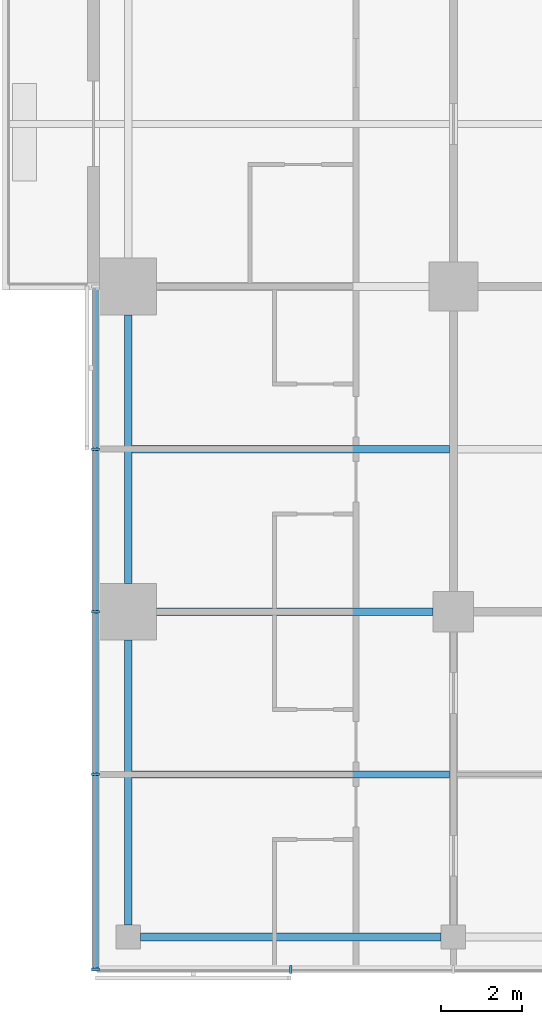
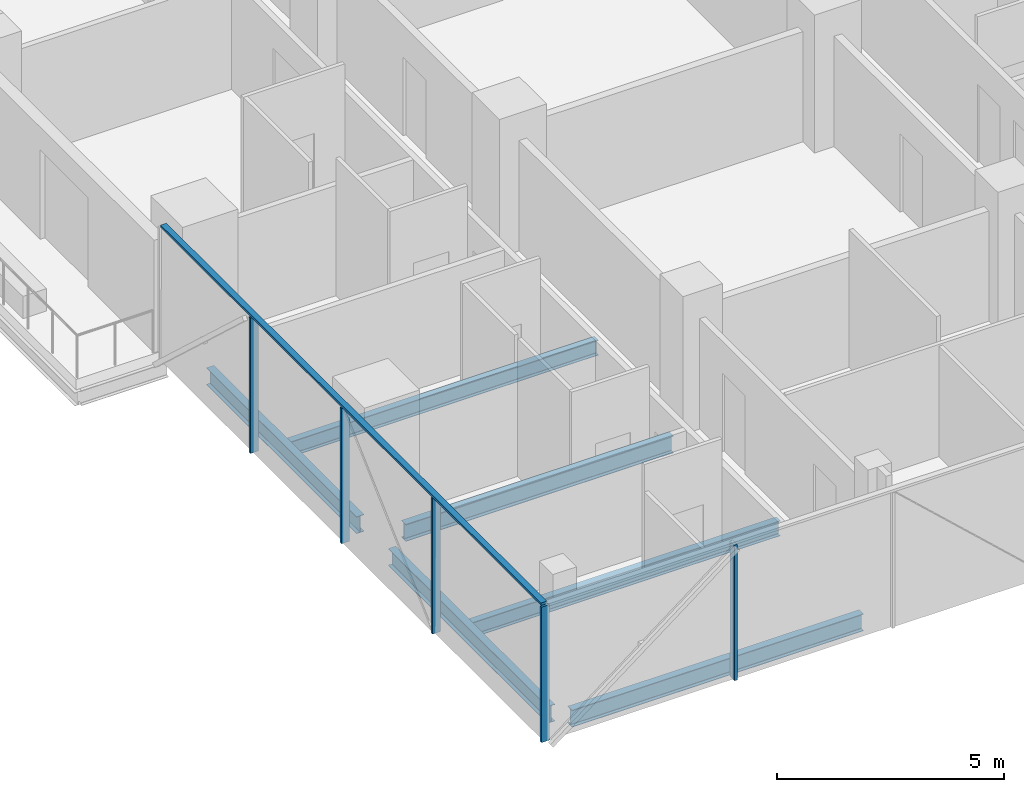
# One storey, part 2 of 29: 6 beams, 6 members, 2 elements without a shape of their own.
"""IFC4 building model written with IfcOpenShell, lengths in metres."""

from ifc_helpers import new_model, si_unit, direction, frame, origin, origin_2d, place, context, subcontext, project, spatial, rectangle, i_section, extrude, material, material_profile, profile_set, type_object, element, aggregate, save


model = new_model("IFC4")

# Units and contexts
model_context = context("Model", 3, precision=1e-05, world=origin(), true_north=direction((0.0, 1.0)))
body_context = subcontext(model_context, "Body", "Model", "MODEL_VIEW")
ifc_project = project(units=[si_unit("LENGTHUNIT", "METRE"), si_unit("AREAUNIT", "SQUARE_METRE"), si_unit("VOLUMEUNIT", "CUBIC_METRE"), si_unit("PLANEANGLEUNIT", "RADIAN"), si_unit("MASSUNIT", "GRAM", prefix="KILO")], contexts=[model_context])

# Site, building, storey
site_placement = place(None, origin())
site = spatial("IfcSite", under=ifc_project, at=site_placement, CompositionType="ELEMENT")
building_placement = place(site_placement, origin())
building = spatial("IfcBuilding", under=site, at=building_placement, Name="Crosswind Convention Tower", CompositionType="ELEMENT")
storey_placement = place(building_placement, frame((0.0, 0.0, 57.199951171875)))
storey = spatial("IfcBuildingStorey", under=building, at=storey_placement, Name="L08", CompositionType="ELEMENT", Elevation=57.199951171875)

# Beams
ifc_material_1 = material(Name="Steel S355", Category="steel")
ifc_material_profile_1 = material_profile(ifc_material_1, i_section(OverallWidth=0.1904296875, OverallDepth=0.457275390625, WebThickness=0.009033203125, FlangeThickness=0.014404296875, FilletRadius=0.01025390625, at=origin_2d()), Name="UB 457x191x75")
ifc_profile_set_1 = profile_set([ifc_material_profile_1], Name="Steel S355")
beam_type_1 = type_object("IfcBeamType", Name="Edge beam UB 457x191x75", PredefinedType="SPANDREL", material=ifc_profile_set_1)
beam_1_placement = place(storey_placement, frame((113.0, 64.300048828125, -0.508544921875), z_axis=(0.0, 1.0, 0.0), x_axis=(-1.0, 0.0, 0.0)))
element("IfcBeam", 1, at=beam_1_placement, inside=storey, type_object=beam_type_1, Name="B17 L08 edge beam 6", PredefinedType="SPANDREL", context=body_context, shape_type="SweptSolid", body=[
    extrude(i_section(OverallWidth=0.1904296875, OverallDepth=0.457275390625, WebThickness=0.009033203125, FlangeThickness=0.014404296875, FilletRadius=0.01025390625, at=origin_2d()), origin(), (0.0, 0.0, 1.0), 7.0),
])
beam_2_placement = place(storey_placement, frame((113.0, 72.699951171875, -0.508544921875), z_axis=(0.0, 1.0, 0.0), x_axis=(-1.0, 0.0, 0.0)))
element("IfcBeam", 2, at=beam_2_placement, inside=storey, type_object=beam_type_1, Name="B17 L08 edge beam 7", PredefinedType="SPANDREL", context=body_context, shape_type="SweptSolid", body=[
    extrude(i_section(OverallWidth=0.1904296875, OverallDepth=0.457275390625, WebThickness=0.009033203125, FlangeThickness=0.014404296875, FilletRadius=0.01025390625, at=origin_2d()), origin(), (0.0, 0.0, 1.0), 6.60009765625),
])
beam_3_placement = place(storey_placement, frame((113.300048828125, 64.0, -0.508544921875), z_axis=(1.0, 0.0, 0.0), x_axis=(0.0, 1.0, 0.0)))
element("IfcBeam", 3, at=beam_3_placement, inside=storey, type_object=beam_type_1, Name="B17 L08 edge beam 12", PredefinedType="SPANDREL", context=body_context, shape_type="SweptSolid", body=[
    extrude(i_section(OverallWidth=0.1904296875, OverallDepth=0.457275390625, WebThickness=0.009033203125, FlangeThickness=0.014404296875, FilletRadius=0.01025390625, at=origin_2d()), origin(), (0.0, 0.0, 1.0), 7.39990234375),
])
ifc_material_profile_2 = material_profile(ifc_material_1, i_section(OverallWidth=0.19140625, OverallDepth=0.460205078125, WebThickness=0.010009765625, FlangeThickness=0.01611328125, FilletRadius=0.01025390625, at=origin_2d()), Name="UB 457x191x82")
ifc_profile_set_2 = profile_set([ifc_material_profile_2], Name="Steel S355")
beam_type_2 = type_object("IfcBeamType", Name="Girder UB 457x191x82", PredefinedType="BEAM", material=ifc_profile_set_2)
beam_4_placement = place(storey_placement, frame((113.699951171875, 72.0, -0.510009765625), z_axis=(1.0, 0.0, 0.0), x_axis=(0.0, 1.0, 0.0)))
element("IfcBeam", 4, at=beam_4_placement, inside=storey, type_object=beam_type_2, Name="B3 L08 girder 1", PredefinedType="BEAM", context=body_context, shape_type="SweptSolid", body=[
    extrude(i_section(OverallWidth=0.19140625, OverallDepth=0.460205078125, WebThickness=0.010009765625, FlangeThickness=0.01611328125, FilletRadius=0.01025390625, at=origin_2d()), origin(), (0.0, 0.0, 1.0), 6.800048828125),
])

# Curtain wall, members
ifc_material_2 = material(Name="Aluminium unitised curtain wall", Category="aluminium")
curtain_wall_type = type_object("IfcCurtainWallType", Name="HOTEL UNITISED WALL 200", PredefinedType="USERDEFINED", material=ifc_material_2)
curtain_wall_1_placement = place(storey_placement, origin())
curtain_wall_1 = element("IfcCurtainWall", 5, at=curtain_wall_1_placement, inside=storey, type_object=curtain_wall_type, Name="CW2 L08 S-W 1", ObjectType="UNITISED", PredefinedType="USERDEFINED")
ifc_material_3 = material(Name="Aluminium mullion", Category="aluminium")
ifc_material_profile_3 = material_profile(ifc_material_3, rectangle(XDim=0.199951171875, YDim=0.06494140625, at=origin_2d()), Name="AL 200X65")
ifc_profile_set_3 = profile_set([ifc_material_profile_3], Name="Aluminium mullion")
member_type_1 = type_object("IfcMemberType", Name="MULLION 65X200", PredefinedType="MULLION", material=ifc_profile_set_3)
member_1_placement = place(storey_placement, frame((112.199951171875, 76.0, -0.280029296875), z_axis=(0.0, 0.0, 1.0), x_axis=(-1.0, 0.0, 0.0)))
member_1 = element("IfcMember", 6, at=member_1_placement, type_object=member_type_1, Name="CW2 mullion 2", PredefinedType="MULLION", context=body_context, shape_type="SweptSolid", body=[
    extrude(rectangle(XDim=0.199951171875, YDim=0.06494140625, at=origin_2d()), origin(), (0.0, 0.0, 1.0), 3.635009765625),
])
member_2_placement = place(storey_placement, frame((112.199951171875, 72.0, -0.280029296875), z_axis=(0.0, 0.0, 1.0), x_axis=(-1.0, 0.0, 0.0)))
member_2 = element("IfcMember", 7, at=member_2_placement, type_object=member_type_1, Name="CW2 mullion 3", PredefinedType="MULLION", context=body_context, shape_type="SweptSolid", body=[
    extrude(rectangle(XDim=0.199951171875, YDim=0.06494140625, at=origin_2d()), origin(), (0.0, 0.0, 1.0), 3.635009765625),
])
member_3_placement = place(storey_placement, frame((112.199951171875, 68.0, -0.280029296875), z_axis=(0.0, 0.0, 1.0), x_axis=(-1.0, 0.0, 0.0)))
member_3 = element("IfcMember", 8, at=member_3_placement, type_object=member_type_1, Name="CW2 mullion 4", PredefinedType="MULLION", context=body_context, shape_type="SweptSolid", body=[
    extrude(rectangle(XDim=0.199951171875, YDim=0.06494140625, at=origin_2d()), origin(), (0.0, 0.0, 1.0), 3.635009765625),
])
member_4_placement = place(storey_placement, frame((112.199951171875, 63.199951171875, -0.280029296875), z_axis=(0.0, 0.0, 1.0), x_axis=(-1.0, 0.0, 0.0)))
member_4 = element("IfcMember", 9, at=member_4_placement, type_object=member_type_1, Name="CW2 mullion 5", PredefinedType="MULLION", context=body_context, shape_type="SweptSolid", body=[
    extrude(rectangle(XDim=0.199951171875, YDim=0.06494140625, at=origin_2d()), origin(), (0.0, 0.0, 1.0), 3.635009765625),
])

# Curtain wall, member
curtain_wall_2_placement = place(storey_placement, origin())
curtain_wall_2 = element("IfcCurtainWall", 10, at=curtain_wall_2_placement, inside=storey, type_object=curtain_wall_type, Name="CW2 L08 S-TIP 1", ObjectType="UNITISED", PredefinedType="USERDEFINED")
member_5_placement = place(storey_placement, frame((117.0, 63.199951171875, -0.280029296875), z_axis=(0.0, 0.0, 1.0), x_axis=(0.0, -1.0, 0.0)))
member_5 = element("IfcMember", 11, at=member_5_placement, type_object=member_type_1, Name="CW2 mullion 2", PredefinedType="MULLION", context=body_context, shape_type="SweptSolid", body=[
    extrude(rectangle(XDim=0.199951171875, YDim=0.06494140625, at=origin_2d()), origin(), (0.0, 0.0, 1.0), 3.635009765625),
])
aggregate(curtain_wall_2, [member_5])

# Beams
ifc_material_profile_4 = material_profile(ifc_material_1, i_section(OverallWidth=0.177734375, OverallDepth=0.406494140625, WebThickness=0.0078125, FlangeThickness=0.0126953125, FilletRadius=0.01025390625, at=origin_2d()), Name="UB 406x178x60")
ifc_profile_set_4 = profile_set([ifc_material_profile_4], Name="Steel S355")
beam_type_3 = type_object("IfcBeamType", Name="Secondary beam UB 406x178x60", PredefinedType="JOIST", material=ifc_profile_set_4)
for number, where, z_axis, x_axis, name in (
    (12, (113.09521484375, 68.0, -0.483154296875), (1.0, 0.0, 0.0), (0.0, 1.0, 0.0), "B10 L08 secondary beam 7"),
    (13, (113.09521484375, 76.0, -0.483154296875), (1.0, 0.0, 0.0), (0.0, 1.0, 0.0), "B10 L08 secondary beam 8"),
):
    element("IfcBeam", number, at=place(storey_placement, frame(where, z_axis=z_axis, x_axis=x_axis)), inside=storey, type_object=beam_type_3, Name=name, PredefinedType="JOIST", context=body_context, shape_type="SweptSolid", body=[
        extrude(i_section(OverallWidth=0.177734375, OverallDepth=0.406494140625, WebThickness=0.0078125, FlangeThickness=0.0126953125, FilletRadius=0.01025390625, at=origin_2d()), origin(), (0.0, 0.0, 1.0), 7.80908203125),
    ])

# Member
ifc_material_4 = material(Name="Aluminium transom", Category="aluminium")
ifc_material_profile_5 = material_profile(ifc_material_4, rectangle(XDim=0.14990234375, YDim=0.06494140625, at=origin_2d()), Name="AL 150X65")
ifc_profile_set_5 = profile_set([ifc_material_profile_5], Name="Aluminium transom")
member_type_2 = type_object("IfcMemberType", Name="TRANSOM 65X150", PredefinedType="USERDEFINED", material=ifc_profile_set_5)
member_6_placement = place(storey_placement, frame((112.199951171875, 79.967529296875, 3.387451171875), z_axis=(0.0, -1.0, 0.0), x_axis=(1.0, 0.0, 0.0)))
member_6 = element("IfcMember", 14, at=member_6_placement, type_object=member_type_2, Name="CW2 transom", ObjectType="TRANSOM", PredefinedType="USERDEFINED", context=body_context, shape_type="SweptSolid", body=[
    extrude(rectangle(XDim=0.14990234375, YDim=0.06494140625, at=origin_2d()), origin(), (0.0, 0.0, 1.0), 16.735107421875),
])

aggregate(curtain_wall_1, [member_1, member_2, member_3, member_4, member_6])

save(model, "model.ifc")
